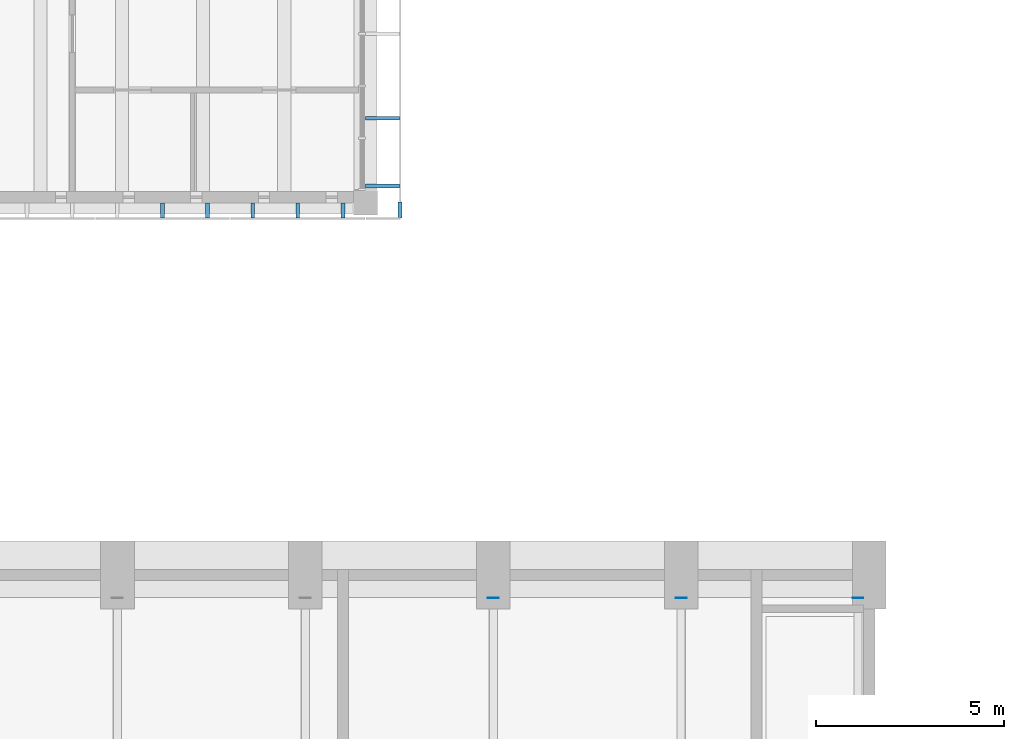
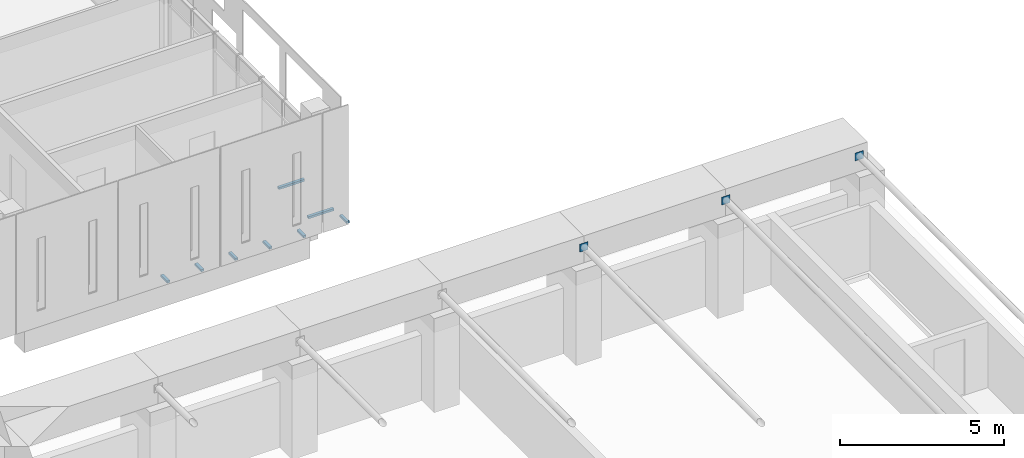
# One storey, part 65 of 92: 11 discrete accessories.
"""IFC4 building model written with IfcOpenShell, lengths in metres."""

import ifcopenshell
import ifcopenshell.guid

model = None  # the IFC model being written
_history = None  # IfcOwnerHistory: only IFC2X3 demands one
_inside = {}  # id of a spatial element -> (the spatial element, [elements in it])
_under = {}  # id of a project, library or spatial element -> (it, [spatial elements below it])
_declared = {}  # id of a project -> (the project, [libraries it declares])
_typed = {}  # id of a type object -> (the type object, [elements of that type])
_made_of = {}  # id of a material, layer set ... -> (it, [elements and type objects made of it])


def new_model(schema):
    """Start an empty IFC model of exactly this schema.

    Asked for "IFC4X3", IfcOpenShell would pick the latest addendum, in which some entities
    have other attributes; the version numbers below select the first issue.
    IFC2X3 requires an IfcOwnerHistory on every rooted entity: one is made here for all.
    """
    global model, _history
    if schema == "IFC4X3":
        model = ifcopenshell.file(schema_version=(4, 3, 0, 0))
    else:
        model = ifcopenshell.file(schema=schema)
    _inside.clear()
    _under.clear()
    _declared.clear()
    _typed.clear()
    _made_of.clear()
    _history = None
    if model.schema == "IFC2X3":
        org = make("IfcOrganization", Name="unknown")
        user = make(
            "IfcPersonAndOrganization",
            ThePerson=make("IfcPerson", FamilyName="unknown"),
            TheOrganization=org,
        )
        app = make(
            "IfcApplication",
            ApplicationDeveloper=org,
            Version="unknown",
            ApplicationFullName="unknown",
            ApplicationIdentifier="unknown",
        )
        _history = make(
            "IfcOwnerHistory",
            OwningUser=user,
            OwningApplication=app,
            ChangeAction="ADDED",
            CreationDate=0,
        )
    return model


def make(cls, **values):
    """One entity of the class cls with the attributes given. An attribute that is None is left unset."""
    return model.create_entity(
        cls, **{name: value for name, value in values.items() if value is not None}
    )


def rooted(cls, **values):
    """An entity with a GlobalId (a new one), such as an element, a storey or a relation."""
    return make(cls, GlobalId=ifcopenshell.guid.new(), OwnerHistory=_history, **values)


def si_unit(unit_type, name, prefix=None):
    """IfcSIUnit, for example si_unit("LENGTHUNIT", "METRE", prefix="MILLI")."""
    return make("IfcSIUnit", UnitType=unit_type, Prefix=prefix, Name=name)


def assignment(units):
    """IfcUnitAssignment: the units of a project."""
    return None if units is None else make("IfcUnitAssignment", Units=units)


def point(xyz):
    """IfcCartesianPoint."""
    return None if xyz is None else make("IfcCartesianPoint", Coordinates=xyz)


def direction(xyz):
    """IfcDirection."""
    return None if xyz is None else make("IfcDirection", DirectionRatios=xyz)


def frame(location, z_axis=None, x_axis=None):
    """IfcAxis2Placement3D, a coordinate frame: its origin and axes. An axis left out is left unset."""
    return make(
        "IfcAxis2Placement3D",
        Location=point(location),
        Axis=direction(z_axis),
        RefDirection=direction(x_axis),
    )


def origin():
    """The frame at (0, 0, 0) with its axes left unset."""
    return frame((0.0, 0.0, 0.0))


def place(relative_to, where):
    """IfcLocalPlacement: puts the frame where relative to a parent placement (None: the world)."""
    return make(
        "IfcLocalPlacement", PlacementRelTo=relative_to, RelativePlacement=where
    )


def context(
    kind, dimensions, precision=None, world=None, true_north=None, identifier=None
):
    """IfcGeometricRepresentationContext, for example the 3D "Model" context."""
    return make(
        "IfcGeometricRepresentationContext",
        ContextIdentifier=identifier,
        ContextType=kind,
        CoordinateSpaceDimension=dimensions,
        Precision=precision,
        WorldCoordinateSystem=world,
        TrueNorth=true_north,
    )


def subcontext(parent, identifier, kind, view, scale=None):
    """IfcGeometricRepresentationSubContext, for example "Body" below "Model"."""
    return make(
        "IfcGeometricRepresentationSubContext",
        ContextIdentifier=identifier,
        ContextType=kind,
        ParentContext=parent,
        TargetScale=scale,
        TargetView=view,
    )


def project(units=None, contexts=None):
    """IfcProject with its units and contexts."""
    return rooted(
        "IfcProject",
        Name="project",
        RepresentationContexts=contexts,
        UnitsInContext=assignment(units),
    )


def spatial(cls, under=None, at=None, **own):
    """A site, building, storey or space (cls), placed at a placement, below another one or the project."""
    s = rooted(cls, ObjectPlacement=at, **own)
    if under is not None:
        _under.setdefault(under.id(), (under, []))[1].append(s)
    return s


def polyline(points):
    """IfcPolyline through the points."""
    return make("IfcPolyline", Points=[point(p) for p in points])


def outline(outer, holes=None, kind="AREA"):
    """IfcArbitraryClosedProfileDef: a profile drawn as a closed curve; with holes, ...WithVoids."""
    if holes is None:
        return make("IfcArbitraryClosedProfileDef", ProfileType=kind, OuterCurve=outer)
    return make(
        "IfcArbitraryProfileDefWithVoids",
        ProfileType=kind,
        OuterCurve=outer,
        InnerCurves=holes,
    )


def extrude(swept, where, along, depth):
    """IfcExtrudedAreaSolid: the profile swept, set in the frame where, extruded along a direction by depth."""
    return make(
        "IfcExtrudedAreaSolid",
        SweptArea=swept,
        Position=where,
        ExtrudedDirection=direction(along),
        Depth=depth,
    )


def shape(context_of_items, identifier, shape_type, items):
    """IfcShapeRepresentation: the items that make up one representation, for example the "Body"."""
    return make(
        "IfcShapeRepresentation",
        ContextOfItems=context_of_items,
        RepresentationIdentifier=identifier,
        RepresentationType=shape_type,
        Items=items,
    )


def source(mapping_origin, context_of_items, identifier, shape_type, items):
    """IfcRepresentationMap: a shape defined once, which mapped items show again and again."""
    return make(
        "IfcRepresentationMap",
        MappingOrigin=mapping_origin,
        MappedRepresentation=shape(context_of_items, identifier, shape_type, items),
    )


def transform(
    local_origin,
    x_axis=None,
    y_axis=None,
    z_axis=None,
    scale=None,
    scale2=None,
    scale3=None,
    uniform=True,
):
    """IfcCartesianTransformationOperator3D, or its non-uniform kind. x_axis, y_axis, z_axis: its Axis1, 2, 3."""
    if uniform:
        return make(
            "IfcCartesianTransformationOperator3D",
            Axis1=direction(x_axis),
            Axis2=direction(y_axis),
            LocalOrigin=point(local_origin),
            Scale=scale,
            Axis3=direction(z_axis),
        )
    return make(
        "IfcCartesianTransformationOperator3DnonUniform",
        Axis1=direction(x_axis),
        Axis2=direction(y_axis),
        LocalOrigin=point(local_origin),
        Scale=scale,
        Axis3=direction(z_axis),
        Scale2=scale2,
        Scale3=scale3,
    )


def mapped(mapping_source, mapping_target):
    """IfcMappedItem: shows the shape of a source again, moved by a transform."""
    return make(
        "IfcMappedItem", MappingSource=mapping_source, MappingTarget=mapping_target
    )


def material(Name=None, Category=None):
    """IfcMaterial."""
    return make("IfcMaterial", Name=Name, Category=Category)


def layer(
    of_material, thickness, ventilated=None, Name=None, Category=None, Priority=None
):
    """IfcMaterialLayer: one layer of a wall or slab, of a material (None: an air gap)."""
    return make(
        "IfcMaterialLayer",
        Material=of_material,
        LayerThickness=thickness,
        IsVentilated=ventilated,
        Name=Name,
        Category=Category,
        Priority=Priority,
    )


def layer_set(layers, Name=None):
    """IfcMaterialLayerSet."""
    return make("IfcMaterialLayerSet", MaterialLayers=layers, LayerSetName=Name)


def made_of(thing, what):
    """Note that an element or type object is made of a material, layer set ...; save() writes the relation."""
    if what is not None:
        _made_of.setdefault(what.id(), (what, []))[1].append(thing)
    return thing


def type_object(cls, material=None, **own):
    """A type object (cls), such as IfcWallType, which elements share."""
    return made_of(rooted(cls, **own), material)


def element(
    cls,
    number,
    at=None,
    inside=None,
    cuts=None,
    type_object=None,
    material=None,
    context=None,
    identifier="Body",
    shape_type=None,
    held_by="IfcProductDefinitionShape",
    body=None,
    shapes=None,
    **own,
):
    """One element of the class cls, such as IfcWall. Its Tag is "e" and its number.

    at: its placement. inside: the storey or other place that contains it. cuts: it is an
    opening in that element (IfcRelVoidsElement). A single representation is given by context,
    identifier, shape_type and body (its items); several are given by shapes. held_by: the class
    of the entity that holds the representations. save() writes the other relations.
    """
    e = rooted(cls, Tag="e%d" % number, ObjectPlacement=at, **own)
    if body is not None:
        shapes = [shape(context, identifier, shape_type, body)]
    if shapes is not None:
        e.Representation = make(held_by, Representations=shapes)
    if inside is not None:
        _inside.setdefault(inside.id(), (inside, []))[1].append(e)
    if cuts is not None:
        rooted(
            "IfcRelVoidsElement", RelatingBuildingElement=cuts, RelatedOpeningElement=e
        )
    if type_object is not None:
        _typed.setdefault(type_object.id(), (type_object, []))[1].append(e)
    return made_of(e, material)


def aggregate(whole, parts):
    """IfcRelAggregates: a whole, such as a stair, and the parts it consists of."""
    return rooted("IfcRelAggregates", RelatingObject=whole, RelatedObjects=parts)


def save(model, path):
    """Write the relations noted so far, then the file.

    IfcRelAggregates (storeys below a building ...), IfcRelContainedInSpatialStructure (elements
    in a storey), IfcRelDefinesByType, IfcRelAssociatesMaterial and IfcRelDeclares: one each for
    every whole, place, type object, material and project.
    """
    for whole, parts in _under.values():
        aggregate(whole, parts)
    for where, things in _inside.values():
        rooted(
            "IfcRelContainedInSpatialStructure",
            RelatedElements=things,
            RelatingStructure=where,
        )
    for kind, things in _typed.values():
        rooted("IfcRelDefinesByType", RelatedObjects=things, RelatingType=kind)
    for what, things in _made_of.values():
        rooted("IfcRelAssociatesMaterial", RelatedObjects=things, RelatingMaterial=what)
    for by, libraries in _declared.values():
        rooted("IfcRelDeclares", RelatingContext=by, RelatedDefinitions=libraries)
    model.write(path)


model = new_model("IFC4")

# Units and contexts
model_context = context("Model", 3, precision=1e-05, world=origin(), true_north=direction((0.0, 1.0)))
body_context = subcontext(model_context, "Body", "Model", "MODEL_VIEW")
ifc_project = project(units=[si_unit("LENGTHUNIT", "METRE"), si_unit("AREAUNIT", "SQUARE_METRE"), si_unit("VOLUMEUNIT", "CUBIC_METRE"), si_unit("PLANEANGLEUNIT", "RADIAN"), si_unit("MASSUNIT", "GRAM", prefix="KILO")], contexts=[model_context])

# Site, building, storey
site_placement = place(None, origin())
site = spatial("IfcSite", under=ifc_project, at=site_placement, CompositionType="ELEMENT")
building_placement = place(site_placement, origin())
building = spatial("IfcBuilding", under=site, at=building_placement, Name="Merrow Basin Faculty of Sciences", CompositionType="ELEMENT")
storey_placement = place(building_placement, frame((0.0, 0.0, 4.5)))
storey = spatial("IfcBuildingStorey", under=building, at=storey_placement, Name="L01", CompositionType="ELEMENT", Elevation=4.5)

# Discrete accessories
ifc_material_1 = material(Name="Steel ASTM A572 Gr 50", Category="steel")
discrete_accessory_type_1 = type_object("IfcDiscreteAccessoryType", Name="Steel T bracket 100 x 80", PredefinedType="BRACKET", material=ifc_material_1)
shared_shape_1 = source(origin(), body_context, "Body", "SweptSolid", [
    extrude(outline(polyline([(0.0, 0.0), (0.10009765625, 0.0), (0.10009765625, 0.080078125), (0.0, 0.080078125), (0.0, 0.0)])), origin(), (0.0, 0.0, 1.0), 0.89990234375),
])
for number, where, z_axis, x_axis, name in (
    (1, (22.5, 63.300048828125, -0.2900390625), (-1.0, 0.0, 0.0), (0.0, -1.0, 0.0), "Bracket EL01-01"),
    (2, (22.5, 61.5, -0.2900390625), (-1.0, 0.0, 0.0), (0.0, -1.0, 0.0), "Bracket EL01-01"),
):
    element("IfcDiscreteAccessory", number, at=place(storey_placement, frame(where, z_axis=z_axis, x_axis=x_axis)), inside=storey, type_object=discrete_accessory_type_1, Name=name, PredefinedType="BRACKET", context=body_context, shape_type="MappedRepresentation", body=[
        mapped(shared_shape_1, transform((0.0, 0.0, 0.0), scale=1.0)),
    ])
ifc_material_2 = material(Name="Steel ASTM A572 Gr 50", Category="steel")
discrete_accessory_type_2 = type_object("IfcDiscreteAccessoryType", Name="Steel T bracket 100 x 80 corner", PredefinedType="BRACKET", material=ifc_material_2)
shared_shape_2 = source(origin(), body_context, "Body", "SweptSolid", [
    extrude(outline(polyline([(0.0, 0.0), (0.10009765625, 0.0), (0.10009765625, 0.080078125), (0.0, 0.080078125), (0.0, 0.0)])), origin(), (0.0, 0.0, 1.0), 0.419921875),
])
discrete_accessory_placement = place(storey_placement, frame((22.570068359375, 60.60009765625, -0.2900390625), z_axis=(0.0, 1.0, 0.0), x_axis=(-1.0, 0.0, 0.0)))
element("IfcDiscreteAccessory", 3, at=discrete_accessory_placement, inside=storey, type_object=discrete_accessory_type_2, Name="End corner bracket SL01-08", PredefinedType="BRACKET", context=body_context, shape_type="MappedRepresentation", body=[
    mapped(shared_shape_2, transform((0.0, 0.0, 0.0), scale=1.0)),
])
ifc_material_3 = material(Name="Steel ASTM A572 Gr 50", Category="steel")
discrete_accessory_type_3 = type_object("IfcDiscreteAccessoryType", Name="Steel T bracket 100 x 80 short", PredefinedType="BRACKET", material=ifc_material_3)
shared_shape_3 = source(origin(), body_context, "Body", "SweptSolid", [
    extrude(outline(polyline([(0.0, 0.0), (0.10009765625, 0.0), (0.10009765625, 0.080078125), (0.0, 0.080078125), (0.0, 0.0)])), origin(), (0.0, 0.0, 1.0), 0.39990234375),
])
for number, where, z_axis, x_axis, name in (
    (4, (16.25, 60.60009765625, -0.2900390625), (0.0, 1.0, 0.0), (-1.0, 0.0, 0.0), "End bracket SL01-06-2"),
    (5, (17.449951171875, 60.60009765625, -0.2900390625), (0.0, 1.0, 0.0), (-1.0, 0.0, 0.0), "End bracket SL01-06-3"),
    (6, (18.64990234375, 60.60009765625, -0.2900390625), (0.0, 1.0, 0.0), (-1.0, 0.0, 0.0), "End bracket SL01-07-1"),
    (7, (19.85009765625, 60.60009765625, -0.2900390625), (0.0, 1.0, 0.0), (-1.0, 0.0, 0.0), "End bracket SL01-07-2"),
    (8, (21.050048828125, 60.60009765625, -0.2900390625), (0.0, 1.0, 0.0), (-1.0, 0.0, 0.0), "End bracket SL01-07-3"),
):
    element("IfcDiscreteAccessory", number, at=place(storey_placement, frame(where, z_axis=z_axis, x_axis=x_axis)), inside=storey, type_object=discrete_accessory_type_3, Name=name, PredefinedType="BRACKET", context=body_context, shape_type="MappedRepresentation", body=[
        mapped(shared_shape_3, transform((0.0, 0.0, 0.0), scale=1.0)),
    ])
ifc_material_4 = material(Name="Steel ASTM A572 Gr 50", Category="steel")
ifc_layer = layer(ifc_material_4, 0.01611328125)
ifc_layer_set = layer_set([ifc_layer], Name="Steel end plate 289 x 289 x 16")
discrete_accessory_type_4 = type_object("IfcDiscreteAccessoryType", Name="Steel end plate 289 x 289 x 16", PredefinedType="ANCHORPLATE", material=ifc_layer_set)
shared_shape_4 = source(origin(), body_context, "Body", "SweptSolid", [
    extrude(outline(polyline([(0.0, 0.0), (0.2890625, 0.0), (0.2890625, 0.2890625), (0.0, 0.2890625), (0.0, 0.0)])), origin(), (0.0, 0.0, 1.0), 0.01611328125),
])
for number, where, z_axis, x_axis, name in (
    (9, (25.14501953125, 50.48388671875, 3.955078125), (0.0, 1.0, 0.0), (-1.0, 0.0, 0.0), "End plate Tie P end"),
    (10, (30.14501953125, 50.48388671875, 3.955078125), (0.0, 1.0, 0.0), (-1.0, 0.0, 0.0), "End plate Tie Q end"),
    (11, (34.844970703125, 50.48388671875, 3.955078125), (0.0, 1.0, 0.0), (-1.0, 0.0, 0.0), "End plate Tie R end"),
):
    element("IfcDiscreteAccessory", number, at=place(storey_placement, frame(where, z_axis=z_axis, x_axis=x_axis)), inside=storey, type_object=discrete_accessory_type_4, Name=name, PredefinedType="ANCHORPLATE", context=body_context, shape_type="MappedRepresentation", body=[
        mapped(shared_shape_4, transform((0.0, 0.0, 0.0), scale=1.0)),
    ])

save(model, "model.ifc")
